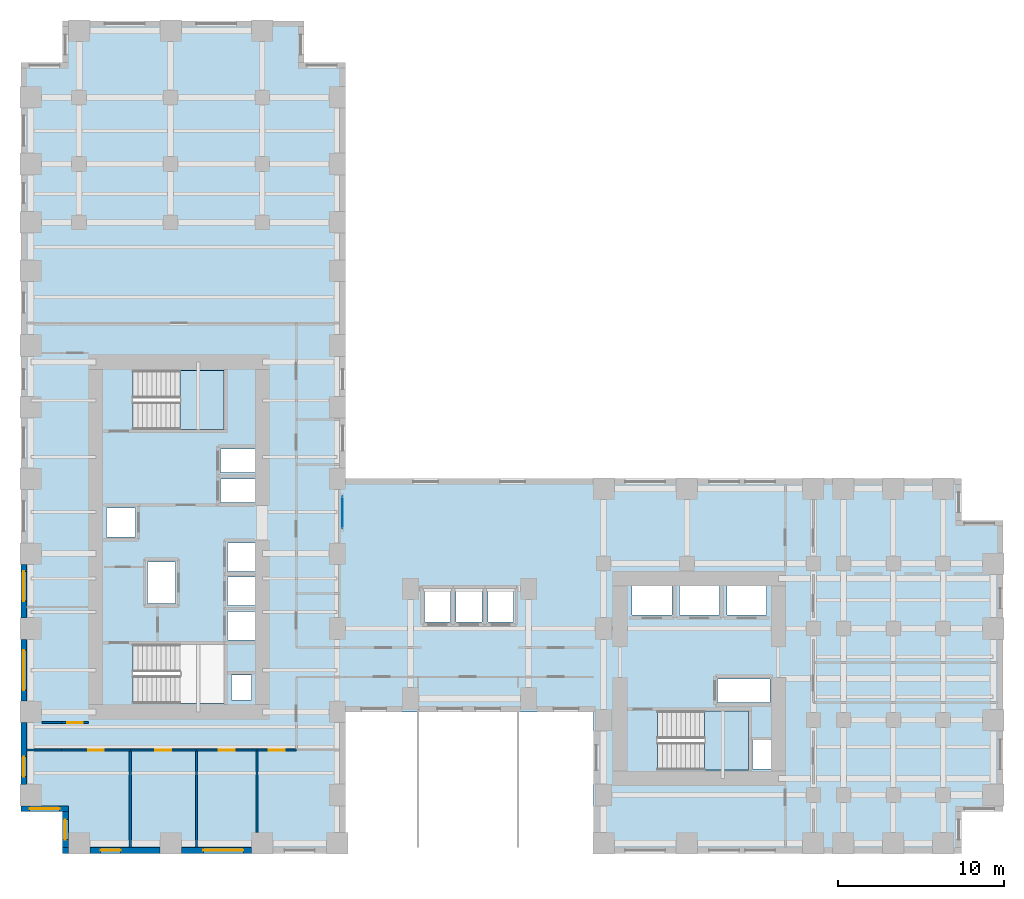
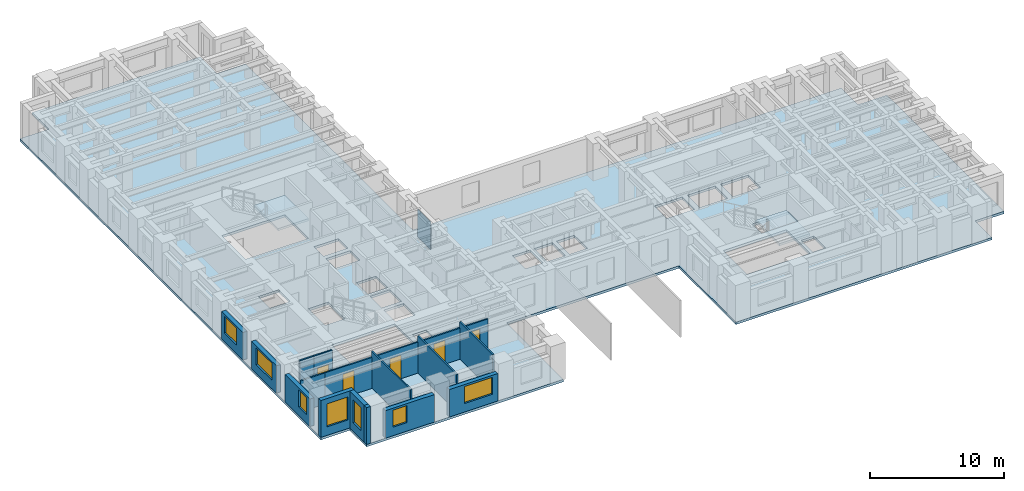
# One storey, part 4 of 12: 18 walls, 7 windows, 5 doors, 3 slabs, 1 plate, 12 openings, 3 elements without a shape of their own.
"""IFC4 building model written with IfcOpenShell, lengths in metres."""

from ifc_helpers import new_model, si_unit, direction, frame, frame_2d, origin, origin_2d, place, context, subcontext, project, spatial, polyline, rectangle, outline, extrude, source, transform, mapped, material, layer, layer_set, type_object, element, fill, aggregate, save


model = new_model("IFC4")

# Units and contexts
model_context = context("Model", 3, precision=1e-05, world=origin(), true_north=direction((0.0, 1.0)))
body_context = subcontext(model_context, "Body", "Model", "MODEL_VIEW")
ifc_project = project(units=[si_unit("LENGTHUNIT", "METRE"), si_unit("AREAUNIT", "SQUARE_METRE"), si_unit("VOLUMEUNIT", "CUBIC_METRE"), si_unit("PLANEANGLEUNIT", "RADIAN"), si_unit("MASSUNIT", "GRAM", prefix="KILO")], contexts=[model_context])

# Site, building, storey
site_placement = place(None, origin())
site = spatial("IfcSite", under=ifc_project, at=site_placement, CompositionType="ELEMENT")
building_placement = place(site_placement, origin())
building = spatial("IfcBuilding", under=site, at=building_placement, Name="Kharzan Plaza Tower", CompositionType="ELEMENT")
storey_placement = place(building_placement, frame((0.0, 0.0, 51.300048828125)))
storey = spatial("IfcBuildingStorey", under=building, at=storey_placement, Name="L13", CompositionType="ELEMENT", Elevation=51.300048828125)

# Slab
ifc_material_1 = material(Name="Concrete C40/50", Category="concrete")
ifc_layer_1 = layer(ifc_material_1, 0.219970703125)
ifc_layer_set_1 = layer_set([ifc_layer_1], Name="Concrete C40/50")
slab_type_1 = type_object("IfcSlabType", Name="SL-FLOOR-220", PredefinedType="FLOOR", material=ifc_layer_set_1)
slab_1_placement = place(storey_placement, frame((0.0, 0.0, -0.219970703125)))
element("IfcSlab", 1, at=slab_1_placement, inside=storey, type_object=slab_type_1, Name="L13 Composite Structural Floor Slab 220 mm", PredefinedType="FLOOR", context=body_context, shape_type="SweptSolid", body=[
    extrude(outline(polyline([(34.39990234375, 22.5), (19.5, 22.5), (19.5, 47.5), (17.0, 47.5), (17.0, 50.0), (2.5, 50.0), (2.5, 47.5), (0.0, 47.5), (0.0, 2.5), (2.5, 2.5), (2.5, 0.0), (19.5, 0.0), (19.5, 8.5), (34.39990234375, 8.5), (34.39990234375, 0.0), (56.5, 0.0), (56.5, 2.5), (59.0, 2.5), (59.0, 20.0), (56.5, 20.0), (56.5, 22.5), (34.39990234375, 22.5)]), holes=[polyline([(13.85009765625, 9.199951171875), (13.85009765625, 10.699951171875), (12.64990234375, 10.699951171875), (12.64990234375, 9.199951171875), (13.85009765625, 9.199951171875)]), polyline([(12.199951171875, 9.0), (12.199951171875, 12.550048828125), (6.75, 12.550048828125), (6.75, 9.0), (12.199951171875, 9.0)]), polyline([(14.10009765625, 12.800048828125), (14.10009765625, 14.530029296875), (12.39990234375, 14.530029296875), (12.39990234375, 12.800048828125), (14.10009765625, 12.800048828125)]), polyline([(14.10009765625, 14.8701171875), (14.10009765625, 16.60009765625), (12.39990234375, 16.60009765625), (12.39990234375, 14.8701171875), (14.10009765625, 14.8701171875)]), polyline([(9.300048828125, 15.0), (9.300048828125, 17.5), (7.60009765625, 17.5), (7.60009765625, 15.0), (9.300048828125, 15.0)]), polyline([(14.10009765625, 16.93994140625), (14.10009765625, 18.64990234375), (12.39990234375, 18.64990234375), (12.39990234375, 16.93994140625), (14.10009765625, 16.93994140625)]), polyline([(6.89990234375, 19.010009765625), (6.89990234375, 20.72998046875), (5.14990234375, 20.72998046875), (5.14990234375, 19.010009765625), (6.89990234375, 19.010009765625)]), polyline([(12.0, 21.070068359375), (14.10009765625, 21.070068359375), (14.10009765625, 22.489990234375), (12.0, 22.489990234375), (12.0, 21.070068359375)]), polyline([(12.0, 22.8701171875), (14.10009765625, 22.8701171875), (14.10009765625, 24.2900390625), (12.0, 24.2900390625), (12.0, 22.8701171875)]), polyline([(12.199951171875, 25.449951171875), (12.199951171875, 29.0), (6.75, 29.0), (6.75, 25.449951171875), (12.199951171875, 25.449951171875)]), polyline([(45.050048828125, 5.050048828125), (45.050048828125, 6.800048828125), (43.949951171875, 6.800048828125), (43.949951171875, 5.050048828125), (45.050048828125, 5.050048828125)]), polyline([(43.699951171875, 5.0), (43.699951171875, 8.550048828125), (38.25, 8.550048828125), (38.25, 5.0), (43.699951171875, 5.0)]), polyline([(41.85009765625, 9.070068359375), (45.0, 9.070068359375), (45.0, 10.469970703125), (41.85009765625, 10.469970703125), (41.85009765625, 9.070068359375)]), polyline([(24.25, 13.89990234375), (25.800048828125, 13.89990234375), (25.800048828125, 15.85009765625), (24.25, 15.85009765625), (24.25, 13.89990234375)]), polyline([(27.699951171875, 13.89990234375), (27.699951171875, 15.85009765625), (26.14990234375, 15.85009765625), (26.14990234375, 13.89990234375), (27.699951171875, 13.89990234375)]), polyline([(29.60009765625, 13.89990234375), (29.60009765625, 15.85009765625), (28.050048828125, 15.85009765625), (28.050048828125, 13.89990234375), (29.60009765625, 13.89990234375)]), polyline([(39.10009765625, 14.300048828125), (39.10009765625, 16.14990234375), (36.699951171875, 16.14990234375), (36.699951171875, 14.300048828125), (39.10009765625, 14.300048828125)]), polyline([(39.550048828125, 14.300048828125), (41.949951171875, 14.300048828125), (41.949951171875, 16.14990234375), (39.550048828125, 16.14990234375), (39.550048828125, 14.300048828125)]), polyline([(42.39990234375, 14.300048828125), (44.800048828125, 14.300048828125), (44.800048828125, 16.14990234375), (42.39990234375, 16.14990234375), (42.39990234375, 14.300048828125)])]), origin(), (0.0, 0.0, 1.0), 0.219970703125),
])

# Stair, slab
stair_type_1 = type_object("IfcStairType", Name="STR-ST-2", PredefinedType="HALF_TURN_STAIR", material=ifc_material_1)
stair_1_placement = place(storey_placement, origin())
stair_1 = element("IfcStair", 2, at=stair_1_placement, inside=storey, type_object=stair_type_1, Name="L13 Protected Exit Stair ST-2", PredefinedType="HALF_TURN_STAIR")
ifc_layer_2 = layer(ifc_material_1, 0.219970703125)
ifc_layer_set_2 = layer_set([ifc_layer_2], Name="Concrete C40/50")
slab_type_2 = type_object("IfcSlabType", Name="SL-LANDING-220", PredefinedType="LANDING", material=ifc_layer_set_2)
slab_2_placement = place(storey_placement, frame((0.0, 0.0, 1.599853515625)))
slab_2 = element("IfcSlab", 3, at=slab_2_placement, type_object=slab_type_2, Name="ST-2 landing 1", PredefinedType="LANDING", context=body_context, shape_type="SweptSolid", body=[
    extrude(outline(polyline([(9.550048828125, 25.449951171875), (12.199951171875, 25.449951171875), (12.199951171875, 29.0), (9.550048828125, 29.0), (9.550048828125, 25.449951171875)])), origin(), (0.0, 0.0, 1.0), 0.2001953125),
])
aggregate(stair_1, [slab_2])

stair_type_2 = type_object("IfcStairType", Name="STR-ST-3", PredefinedType="HALF_TURN_STAIR", material=ifc_material_1)
stair_2_placement = place(storey_placement, origin())
stair_2 = element("IfcStair", 4, at=stair_2_placement, inside=storey, type_object=stair_type_2, Name="L13 Protected Exit Stair ST-3", PredefinedType="HALF_TURN_STAIR")
slab_3_placement = place(storey_placement, frame((0.0, 0.0, 1.599853515625)))
slab_3 = element("IfcSlab", 5, at=slab_3_placement, type_object=slab_type_2, Name="ST-3 landing 1", PredefinedType="LANDING", context=body_context, shape_type="SweptSolid", body=[
    extrude(outline(polyline([(41.050048828125, 5.0), (43.699951171875, 5.0), (43.699951171875, 8.550048828125), (41.050048828125, 8.550048828125), (41.050048828125, 5.0)])), origin(), (0.0, 0.0, 1.0), 0.2001953125),
])
aggregate(stair_2, [slab_3])

# Curtain wall, plate
ifc_material_2 = material(Name="Unitised Bronze-Anodized Aluminium and Low-E Glass", Category="aluminium")
ifc_layer_3 = layer(ifc_material_2, 0.199951171875)
ifc_layer_set_3 = layer_set([ifc_layer_3], Name="Unitised Bronze-Anodized Aluminium and Low-E Glass")
curtain_wall_type = type_object("IfcCurtainWallType", Name="CW-SLOT-3", PredefinedType="NOTDEFINED", material=ifc_layer_set_3)
curtain_wall_placement = place(storey_placement, origin())
curtain_wall = element("IfcCurtainWall", 6, at=curtain_wall_placement, inside=storey, type_object=curtain_wall_type, Name="L13 West Slot Recessed Spine Curtain Wall", PredefinedType="NOTDEFINED")
ifc_material_3 = material(Name="Dark Solar-Control Double Glazing", Category="glass")
ifc_layer_4 = layer(ifc_material_3, 0.031982421875)
ifc_layer_set_4 = layer_set([ifc_layer_4], Name="Dark Solar-Control Double Glazing")
plate_type = type_object("IfcPlateType", Name="PLT-CW-GLASS", PredefinedType="CURTAIN_PANEL", material=ifc_layer_set_4)
shared_shape_1 = source(origin(), body_context, "Body", "SweptSolid", [
    extrude(rectangle(XDim=1.929931640625, YDim=0.031982421875, at=origin_2d()), origin(), (0.0, 0.0, 1.0), 2.5400390625),
])
plate_placement = place(storey_placement, frame((19.320068359375, 20.47509765625, 0.079833984375), z_axis=(0.0, 0.0, 1.0), x_axis=(0.0, 1.0, 0.0)))
plate = element("IfcPlate", 7, at=plate_placement, type_object=plate_type, Name="L13 Curtain-Wall Glazed Panel 00", PredefinedType="CURTAIN_PANEL", context=body_context, shape_type="MappedRepresentation", body=[
    mapped(shared_shape_1, transform((0.0, 0.0, 0.0), x_axis=(1.0, 0.0, 0.0), y_axis=(0.0, 1.0, 0.0), z_axis=(0.0, 0.0, 1.0))),
])
aggregate(curtain_wall, [plate])

# Wall, opening, window
ifc_layer_5 = layer(ifc_material_1, 0.35009765625)
ifc_layer_set_5 = layer_set([ifc_layer_5], Name="Concrete C40/50")
wall_type_1 = type_object("IfcWallType", Name="WL-EXT-MAS-Z1", PredefinedType="SOLIDWALL", material=ifc_layer_set_5)
wall_1_placement = place(storey_placement, frame((0.175048828125, 17.35205078125, 0.0), z_axis=(0.0, 0.0, 1.0), x_axis=(0.0, -1.0, 0.0)))
wall_1 = element("IfcWall", 8, at=wall_1_placement, inside=storey, type_object=wall_type_1, Name="L13 Masonry-Frame Exterior Wall 17", PredefinedType="SOLIDWALL", context=body_context, shape_type="SweptSolid", body=[
    extrude(rectangle(XDim=3.2041015625, YDim=0.35009765625, at=frame_2d((1.60205078125, 0.0))), origin(), (0.0, 0.0, 1.0), 2.510009765625),
])
opening_1_placement = place(wall_1_placement, frame((0.410888671875, 0.0, 0.780029296875)))
opening_1 = element("IfcOpeningElement", 9, at=opening_1_placement, cuts=wall_1, Name="Opening W1", PredefinedType="OPENING", context=body_context, shape_type="SweptSolid", body=[
    extrude(rectangle(XDim=1.800048828125, YDim=1.550048828125, at=frame_2d((0.89990234375, 0.77490234375))), frame((0.0, 0.18505859375, 0.0), z_axis=(0.0, -1.0, 0.0), x_axis=(1.0, 0.0, 0.0)), (0.0, 0.0, 1.0), 0.3701171875),
])
ifc_material_4 = material(Name="Low-E Double Glazing", Category="glass")
window_type_1 = type_object("IfcWindowType", Name="WN-REC-1800x2100", PartitioningType="SINGLE_PANEL", PredefinedType="WINDOW", material=ifc_material_4)
shared_shape_2 = source(origin(), body_context, "Body", "SweptSolid", [
    extrude(rectangle(XDim=1.800048828125, YDim=1.550048828125, at=frame_2d((0.89990234375, 0.77490234375))), frame((0.0, 0.030029296875, 0.0), z_axis=(0.0, -1.0, 0.0), x_axis=(1.0, 0.0, 0.0)), (0.0, 0.0, 1.0), 0.06005859375),
])
window_1_placement = place(opening_1_placement, origin())
window_1 = element("IfcWindow", 10, at=window_1_placement, inside=storey, type_object=window_type_1, Name="L13 Recessed Solar-Control Window 17-1", OverallHeight=1.550048828125, OverallWidth=1.800048828125, PartitioningType="SINGLE_PANEL", PredefinedType="WINDOW", context=body_context, shape_type="MappedRepresentation", body=[
    mapped(shared_shape_2, transform((0.0, 0.0, 0.0), x_axis=(1.0, 0.0, 0.0), y_axis=(0.0, 1.0, 0.0), z_axis=(0.0, 0.0, 1.0))),
])
fill(opening_1, window_1)

wall_2_placement = place(storey_placement, frame((0.175048828125, 12.85205078125, 0.0), z_axis=(0.0, 0.0, 1.0), x_axis=(0.0, -1.0, 0.0)))
wall_2 = element("IfcWall", 11, at=wall_2_placement, inside=storey, type_object=wall_type_1, Name="L13 Masonry-Frame Exterior Wall 18", PredefinedType="SOLIDWALL", context=body_context, shape_type="SweptSolid", body=[
    extrude(rectangle(XDim=3.7041015625, YDim=0.35009765625, at=frame_2d((1.85205078125, 0.0))), origin(), (0.0, 0.0, 1.0), 2.510009765625),
])
opening_2_placement = place(wall_2_placement, frame((0.652099609375, 0.0, 0.780029296875)))
opening_2 = element("IfcOpeningElement", 12, at=opening_2_placement, cuts=wall_2, Name="Opening W2", PredefinedType="OPENING", context=body_context, shape_type="SweptSolid", body=[
    extrude(rectangle(XDim=2.39990234375, YDim=1.550048828125, at=frame_2d((1.199951171875, 0.77490234375))), frame((0.0, 0.18505859375, 0.0), z_axis=(0.0, -1.0, 0.0), x_axis=(1.0, 0.0, 0.0)), (0.0, 0.0, 1.0), 0.3701171875),
])
window_type_2 = type_object("IfcWindowType", Name="WN-REC-2400x2100", PartitioningType="SINGLE_PANEL", PredefinedType="WINDOW", material=ifc_material_4)
shared_shape_3 = source(origin(), body_context, "Body", "SweptSolid", [
    extrude(rectangle(XDim=2.39990234375, YDim=1.550048828125, at=frame_2d((1.199951171875, 0.77490234375))), frame((0.0, 0.030029296875, 0.0), z_axis=(0.0, -1.0, 0.0), x_axis=(1.0, 0.0, 0.0)), (0.0, 0.0, 1.0), 0.06005859375),
])
window_2_placement = place(opening_2_placement, origin())
window_2 = element("IfcWindow", 13, at=window_2_placement, inside=storey, type_object=window_type_2, Name="L13 Wide Recessed Solar-Control Window 18-1", OverallHeight=1.550048828125, OverallWidth=2.39990234375, PartitioningType="SINGLE_PANEL", PredefinedType="WINDOW", context=body_context, shape_type="MappedRepresentation", body=[
    mapped(shared_shape_3, transform((0.0, 0.0, 0.0), x_axis=(1.0, 0.0, 0.0), y_axis=(0.0, 1.0, 0.0), z_axis=(0.0, 0.0, 1.0))),
])
fill(opening_2, window_2)

wall_3_placement = place(storey_placement, frame((0.175048828125, 7.85205078125, 0.0), z_axis=(0.0, 0.0, 1.0), x_axis=(0.0, -1.0, 0.0)))
wall_3 = element("IfcWall", 14, at=wall_3_placement, inside=storey, type_object=wall_type_1, Name="L13 Masonry-Frame Exterior Wall 19", PredefinedType="SOLIDWALL", context=body_context, shape_type="SweptSolid", body=[
    extrude(rectangle(XDim=3.7041015625, YDim=0.35009765625, at=frame_2d((1.85205078125, 0.0))), origin(), (0.0, 0.0, 1.0), 2.510009765625),
])
opening_3_placement = place(wall_3_placement, frame((2.04296875, 0.0, 0.780029296875)))
opening_3 = element("IfcOpeningElement", 15, at=opening_3_placement, cuts=wall_3, Name="Opening W3", PredefinedType="OPENING", context=body_context, shape_type="SweptSolid", body=[
    extrude(rectangle(XDim=1.199951171875, YDim=1.550048828125, at=frame_2d((0.60009765625, 0.77490234375))), frame((0.0, 0.18505859375, 0.0), z_axis=(0.0, -1.0, 0.0), x_axis=(1.0, 0.0, 0.0)), (0.0, 0.0, 1.0), 0.3701171875),
])
window_type_3 = type_object("IfcWindowType", Name="WN-REC-1200x2100", PartitioningType="SINGLE_PANEL", PredefinedType="WINDOW", material=ifc_material_4)
shared_shape_4 = source(origin(), body_context, "Body", "SweptSolid", [
    extrude(rectangle(XDim=1.199951171875, YDim=1.550048828125, at=frame_2d((0.60009765625, 0.77490234375))), frame((0.0, 0.030029296875, 0.0), z_axis=(0.0, -1.0, 0.0), x_axis=(1.0, 0.0, 0.0)), (0.0, 0.0, 1.0), 0.06005859375),
])
window_3_placement = place(opening_3_placement, origin())
window_3 = element("IfcWindow", 16, at=window_3_placement, inside=storey, type_object=window_type_3, Name="L13 Recessed Solar-Control Window 19-1", OverallHeight=1.550048828125, OverallWidth=1.199951171875, PartitioningType="SINGLE_PANEL", PredefinedType="WINDOW", context=body_context, shape_type="MappedRepresentation", body=[
    mapped(shared_shape_4, transform((0.0, 0.0, 0.0), x_axis=(1.0, 0.0, 0.0), y_axis=(0.0, 1.0, 0.0), z_axis=(0.0, 0.0, 1.0))),
])
fill(opening_3, window_3)

wall_4_placement = place(storey_placement, frame((0.0, 2.675048828125, 0.0), z_axis=(0.0, 0.0, 1.0), x_axis=(1.0, 0.0, 0.0)))
wall_4 = element("IfcWall", 17, at=wall_4_placement, inside=storey, type_object=wall_type_1, Name="L13 Masonry-Frame Exterior Wall 20", PredefinedType="SOLIDWALL", context=body_context, shape_type="SweptSolid", body=[
    extrude(rectangle(XDim=2.85009765625, YDim=0.35009765625, at=frame_2d((1.425048828125, 0.0))), origin(), (0.0, 0.0, 1.0), 3.364990234375),
])
opening_4_placement = place(wall_4_placement, frame((0.52490234375, 0.0, 0.780029296875)))
opening_4 = element("IfcOpeningElement", 18, at=opening_4_placement, cuts=wall_4, Name="Opening W1", PredefinedType="OPENING", context=body_context, shape_type="SweptSolid", body=[
    extrude(rectangle(XDim=1.800048828125, YDim=2.10009765625, at=frame_2d((0.89990234375, 1.050048828125))), frame((0.0, 0.18505859375, 0.0), z_axis=(0.0, -1.0, 0.0), x_axis=(1.0, 0.0, 0.0)), (0.0, 0.0, 1.0), 0.3701171875),
])
shared_shape_5 = source(origin(), body_context, "Body", "SweptSolid", [
    extrude(rectangle(XDim=1.800048828125, YDim=2.10009765625, at=frame_2d((0.89990234375, 1.050048828125))), frame((0.0, 0.030029296875, 0.0), z_axis=(0.0, -1.0, 0.0), x_axis=(1.0, 0.0, 0.0)), (0.0, 0.0, 1.0), 0.06005859375),
])
window_4_placement = place(opening_4_placement, origin())
window_4 = element("IfcWindow", 19, at=window_4_placement, inside=storey, type_object=window_type_1, Name="L13 Recessed Solar-Control Window 20-1", OverallHeight=2.10009765625, OverallWidth=1.800048828125, PartitioningType="SINGLE_PANEL", PredefinedType="WINDOW", context=body_context, shape_type="MappedRepresentation", body=[
    mapped(shared_shape_5, transform((0.0, 0.0, 0.0), x_axis=(1.0, 0.0, 0.0), y_axis=(0.0, 1.0, 0.0), z_axis=(0.0, 0.0, 1.0))),
])
fill(opening_4, window_4)

wall_5_placement = place(storey_placement, frame((2.675048828125, 2.501953125, 0.0), z_axis=(0.0, 0.0, 1.0), x_axis=(0.0, -1.0, 0.0)))
wall_5 = element("IfcWall", 20, at=wall_5_placement, inside=storey, type_object=wall_type_1, Name="L13 Masonry-Frame Exterior Wall 21", PredefinedType="SOLIDWALL", context=body_context, shape_type="SweptSolid", body=[
    extrude(rectangle(XDim=2.154052734375, YDim=0.35009765625, at=frame_2d((1.0771484375, 0.0))), origin(), (0.0, 0.0, 1.0), 3.364990234375),
])
opening_5_placement = place(wall_5_placement, frame((0.47705078125, 0.0, 0.780029296875)))
opening_5 = element("IfcOpeningElement", 21, at=opening_5_placement, cuts=wall_5, Name="Opening W3", PredefinedType="OPENING", context=body_context, shape_type="SweptSolid", body=[
    extrude(rectangle(XDim=1.199951171875, YDim=2.10009765625, at=frame_2d((0.60009765625, 1.050048828125))), frame((0.0, 0.18505859375, 0.0), z_axis=(0.0, -1.0, 0.0), x_axis=(1.0, 0.0, 0.0)), (0.0, 0.0, 1.0), 0.3701171875),
])
shared_shape_6 = source(origin(), body_context, "Body", "SweptSolid", [
    extrude(rectangle(XDim=1.199951171875, YDim=2.10009765625, at=frame_2d((0.60009765625, 1.050048828125))), frame((0.0, 0.030029296875, 0.0), z_axis=(0.0, -1.0, 0.0), x_axis=(1.0, 0.0, 0.0)), (0.0, 0.0, 1.0), 0.06005859375),
])
window_5_placement = place(opening_5_placement, origin())
window_5 = element("IfcWindow", 22, at=window_5_placement, inside=storey, type_object=window_type_3, Name="L13 Recessed Solar-Control Window 21-1", OverallHeight=2.10009765625, OverallWidth=1.199951171875, PartitioningType="SINGLE_PANEL", PredefinedType="WINDOW", context=body_context, shape_type="MappedRepresentation", body=[
    mapped(shared_shape_6, transform((0.0, 0.0, 0.0), x_axis=(1.0, 0.0, 0.0), y_axis=(0.0, 1.0, 0.0), z_axis=(0.0, 0.0, 1.0))),
])
fill(opening_5, window_5)

wall_6_placement = place(storey_placement, frame((4.14794921875, 0.175048828125, 0.0), z_axis=(0.0, 0.0, 1.0), x_axis=(1.0, 0.0, 0.0)))
wall_6 = element("IfcWall", 23, at=wall_6_placement, inside=storey, type_object=wall_type_1, Name="L13 Masonry-Frame Exterior Wall 23", PredefinedType="SOLIDWALL", context=body_context, shape_type="SweptSolid", body=[
    extrude(rectangle(XDim=4.2041015625, YDim=0.35009765625, at=frame_2d((2.10205078125, 0.0))), origin(), (0.0, 0.0, 1.0), 2.510009765625),
])
opening_6_placement = place(wall_6_placement, frame((0.64697265625, 0.0, 0.780029296875)))
opening_6 = element("IfcOpeningElement", 24, at=opening_6_placement, cuts=wall_6, Name="Opening W3", PredefinedType="OPENING", context=body_context, shape_type="SweptSolid", body=[
    extrude(rectangle(XDim=1.199951171875, YDim=1.550048828125, at=frame_2d((0.60009765625, 0.77490234375))), frame((0.0, 0.18505859375, 0.0), z_axis=(0.0, -1.0, 0.0), x_axis=(1.0, 0.0, 0.0)), (0.0, 0.0, 1.0), 0.3701171875),
])
window_6_placement = place(opening_6_placement, origin())
window_6 = element("IfcWindow", 25, at=window_6_placement, inside=storey, type_object=window_type_3, Name="L13 Recessed Solar-Control Window 23-1", OverallHeight=1.550048828125, OverallWidth=1.199951171875, PartitioningType="SINGLE_PANEL", PredefinedType="WINDOW", context=body_context, shape_type="MappedRepresentation", body=[
    mapped(shared_shape_4, transform((0.0, 0.0, 0.0), x_axis=(1.0, 0.0, 0.0), y_axis=(0.0, 1.0, 0.0), z_axis=(0.0, 0.0, 1.0))),
])
fill(opening_6, window_6)

wall_7_placement = place(storey_placement, frame((9.64794921875, 0.175048828125, 0.0), z_axis=(0.0, 0.0, 1.0), x_axis=(1.0, 0.0, 0.0)))
wall_7 = element("IfcWall", 26, at=wall_7_placement, inside=storey, type_object=wall_type_1, Name="L13 Masonry-Frame Exterior Wall 24", PredefinedType="SOLIDWALL", context=body_context, shape_type="SweptSolid", body=[
    extrude(rectangle(XDim=4.2041015625, YDim=0.35009765625, at=frame_2d((2.10205078125, 0.0))), origin(), (0.0, 0.0, 1.0), 2.510009765625),
])
opening_7_placement = place(wall_7_placement, frame((1.31494140625, 0.0, 0.780029296875)))
opening_7 = element("IfcOpeningElement", 27, at=opening_7_placement, cuts=wall_7, Name="Opening W2", PredefinedType="OPENING", context=body_context, shape_type="SweptSolid", body=[
    extrude(rectangle(XDim=2.39990234375, YDim=1.550048828125, at=frame_2d((1.199951171875, 0.77490234375))), frame((0.0, 0.18505859375, 0.0), z_axis=(0.0, -1.0, 0.0), x_axis=(1.0, 0.0, 0.0)), (0.0, 0.0, 1.0), 0.3701171875),
])
window_7_placement = place(opening_7_placement, origin())
window_7 = element("IfcWindow", 28, at=window_7_placement, inside=storey, type_object=window_type_2, Name="L13 Wide Recessed Solar-Control Window 24-1", OverallHeight=1.550048828125, OverallWidth=2.39990234375, PartitioningType="SINGLE_PANEL", PredefinedType="WINDOW", context=body_context, shape_type="MappedRepresentation", body=[
    mapped(shared_shape_3, transform((0.0, 0.0, 0.0), x_axis=(1.0, 0.0, 0.0), y_axis=(0.0, 1.0, 0.0), z_axis=(0.0, 0.0, 1.0))),
])
fill(opening_7, window_7)

# Wall, opening, door
ifc_material_5 = material(Name="Fire-Rated Gypsum Board Partition", Category="gypsum")
ifc_layer_6 = layer(ifc_material_5, 0.125)
ifc_layer_set_6 = layer_set([ifc_layer_6], Name="Fire-Rated Gypsum Board Partition")
wall_type_2 = type_object("IfcWallType", Name="WL-INT-PART-125", PredefinedType="PARTITIONING", material=ifc_layer_set_6)
wall_8_placement = place(storey_placement, frame((2.449951171875, 7.85009765625, 0.0), z_axis=(0.0, 0.0, 1.0), x_axis=(1.0, 0.0, 0.0)))
wall_8 = element("IfcWall", 29, at=wall_8_placement, inside=storey, type_object=wall_type_2, Name="L13 Interior Partition SH-RWSD", PredefinedType="PARTITIONING", context=body_context, shape_type="SweptSolid", body=[
    extrude(rectangle(XDim=1.60009765625, YDim=0.125, at=frame_2d((0.800048828125, 0.0))), origin(), (0.0, 0.0, 1.0), 3.364990234375),
])
opening_8_placement = place(wall_8_placement, frame((0.324951171875, 0.0, 0.0)))
opening_8 = element("IfcOpeningElement", 30, at=opening_8_placement, cuts=wall_8, Name="Opening OD1", PredefinedType="OPENING", context=body_context, shape_type="SweptSolid", body=[
    extrude(rectangle(XDim=0.949951171875, YDim=2.14990234375, at=frame_2d((0.47509765625, 1.074951171875))), frame((0.0, 0.072509765625, 0.0), z_axis=(0.0, -1.0, 0.0), x_axis=(1.0, 0.0, 0.0)), (0.0, 0.0, 1.0), 0.14501953125),
])
ifc_material_6 = material(Name="Acoustic Solid-Core Stained Oak", Category="timber")
door_type = type_object("IfcDoorType", Name="DR-OFF-SINGLE", OperationType="NOTDEFINED", PredefinedType="DOOR", material=ifc_material_6)
shared_shape_7 = source(origin(), body_context, "Body", "SweptSolid", [
    extrude(rectangle(XDim=0.949951171875, YDim=2.14990234375, at=frame_2d((0.47509765625, 1.074951171875))), frame((0.0, 0.02490234375, 0.0), z_axis=(0.0, -1.0, 0.0), x_axis=(1.0, 0.0, 0.0)), (0.0, 0.0, 1.0), 0.050048828125),
])
door_1_placement = place(opening_8_placement, origin())
door_1 = element("IfcDoor", 31, at=door_1_placement, inside=storey, type_object=door_type, Name="L13 West Office 1 Door", OperationType="SINGLE_SWING_RIGHT", OverallHeight=2.14990234375, OverallWidth=0.949951171875, PredefinedType="DOOR", context=body_context, shape_type="MappedRepresentation", body=[
    mapped(shared_shape_7, transform((0.0, 0.0, 0.0), x_axis=(1.0, 0.0, 0.0), y_axis=(0.0, 1.0, 0.0), z_axis=(0.0, 0.0, 1.0))),
])
fill(opening_8, door_1)

wall_9_placement = place(storey_placement, frame((2.449951171875, 6.199951171875, 0.0), z_axis=(0.0, 0.0, 1.0), x_axis=(1.0, 0.0, 0.0)))
wall_9 = element("IfcWall", 32, at=wall_9_placement, inside=storey, type_object=wall_type_2, Name="L13 Interior Partition SH-SS-1", PredefinedType="PARTITIONING", context=body_context, shape_type="SweptSolid", body=[
    extrude(rectangle(XDim=4.1220703125, YDim=0.125, at=frame_2d((2.06103515625, 0.0))), origin(), (0.0, 0.0, 1.0), 2.827880859375),
])
opening_9_placement = place(wall_9_placement, frame((1.5859375, 0.0, 0.0)))
opening_9 = element("IfcOpeningElement", 33, at=opening_9_placement, cuts=wall_9, Name="Opening OD1", PredefinedType="OPENING", context=body_context, shape_type="SweptSolid", body=[
    extrude(rectangle(XDim=0.949951171875, YDim=2.14990234375, at=frame_2d((0.47509765625, 1.074951171875))), frame((0.0, 0.072509765625, 0.0), z_axis=(0.0, -1.0, 0.0), x_axis=(1.0, 0.0, 0.0)), (0.0, 0.0, 1.0), 0.14501953125),
])
door_2_placement = place(opening_9_placement, origin())
door_2 = element("IfcDoor", 34, at=door_2_placement, inside=storey, type_object=door_type, Name="L13 Executive Tea Pantry Door", OperationType="SINGLE_SWING_RIGHT", OverallHeight=2.14990234375, OverallWidth=0.949951171875, PredefinedType="DOOR", context=body_context, shape_type="MappedRepresentation", body=[
    mapped(shared_shape_7, transform((0.0, 0.0, 0.0), x_axis=(1.0, 0.0, 0.0), y_axis=(0.0, 1.0, 0.0), z_axis=(0.0, 0.0, 1.0))),
])
fill(opening_9, door_2)

wall_10_placement = place(storey_placement, frame((6.572021484375, 6.199951171875, 0.0), z_axis=(0.0, 0.0, 1.0), x_axis=(1.0, 0.0, 0.0)))
wall_10 = element("IfcWall", 35, at=wall_10_placement, inside=storey, type_object=wall_type_2, Name="L13 Interior Partition SH-SS-2", PredefinedType="PARTITIONING", context=body_context, shape_type="SweptSolid", body=[
    extrude(rectangle(XDim=3.971923828125, YDim=0.125, at=frame_2d((1.98583984375, 0.0))), origin(), (0.0, 0.0, 1.0), 2.827880859375),
])
opening_10_placement = place(wall_10_placement, frame((1.510986328125, 0.0, 0.0)))
opening_10 = element("IfcOpeningElement", 36, at=opening_10_placement, cuts=wall_10, Name="Opening OD1", PredefinedType="OPENING", context=body_context, shape_type="SweptSolid", body=[
    extrude(rectangle(XDim=0.949951171875, YDim=2.14990234375, at=frame_2d((0.47509765625, 1.074951171875))), frame((0.0, 0.072509765625, 0.0), z_axis=(0.0, -1.0, 0.0), x_axis=(1.0, 0.0, 0.0)), (0.0, 0.0, 1.0), 0.14501953125),
])
door_3_placement = place(opening_10_placement, origin())
door_3 = element("IfcDoor", 37, at=door_3_placement, inside=storey, type_object=door_type, Name="L13 Executive Tea Pantry Door", OperationType="SINGLE_SWING_LEFT", OverallHeight=2.14990234375, OverallWidth=0.949951171875, PredefinedType="DOOR", context=body_context, shape_type="MappedRepresentation", body=[
    mapped(shared_shape_7, transform((0.0, 0.0, 0.0), x_axis=(1.0, 0.0, 0.0), y_axis=(0.0, 1.0, 0.0), z_axis=(0.0, 0.0, 1.0))),
])
fill(opening_10, door_3)

wall_11_placement = place(storey_placement, frame((10.5439453125, 6.199951171875, 0.0), z_axis=(0.0, 0.0, 1.0), x_axis=(1.0, 0.0, 0.0)))
wall_11 = element("IfcWall", 38, at=wall_11_placement, inside=storey, type_object=wall_type_2, Name="L13 Interior Partition SH-SS-3", PredefinedType="PARTITIONING", context=body_context, shape_type="SweptSolid", body=[
    extrude(rectangle(XDim=3.64111328125, YDim=0.125, at=frame_2d((1.820556640625, 0.0))), origin(), (0.0, 0.0, 1.0), 2.827880859375),
])
opening_11_placement = place(wall_11_placement, frame((1.345458984375, 0.0, 0.0)))
opening_11 = element("IfcOpeningElement", 39, at=opening_11_placement, cuts=wall_11, Name="Opening OD1", PredefinedType="OPENING", context=body_context, shape_type="SweptSolid", body=[
    extrude(rectangle(XDim=0.949951171875, YDim=2.14990234375, at=frame_2d((0.47509765625, 1.074951171875))), frame((0.0, 0.072509765625, 0.0), z_axis=(0.0, -1.0, 0.0), x_axis=(1.0, 0.0, 0.0)), (0.0, 0.0, 1.0), 0.14501953125),
])
door_4_placement = place(opening_11_placement, origin())
door_4 = element("IfcDoor", 40, at=door_4_placement, inside=storey, type_object=door_type, Name="L13 Strategy Briefing Room Door", OperationType="SINGLE_SWING_RIGHT", OverallHeight=2.14990234375, OverallWidth=0.949951171875, PredefinedType="DOOR", context=body_context, shape_type="MappedRepresentation", body=[
    mapped(shared_shape_7, transform((0.0, 0.0, 0.0), x_axis=(1.0, 0.0, 0.0), y_axis=(0.0, 1.0, 0.0), z_axis=(0.0, 0.0, 1.0))),
])
fill(opening_11, door_4)

wall_12_placement = place(storey_placement, frame((14.18505859375, 6.199951171875, 0.0), z_axis=(0.0, 0.0, 1.0), x_axis=(1.0, 0.0, 0.0)))
wall_12 = element("IfcWall", 41, at=wall_12_placement, inside=storey, type_object=wall_type_2, Name="L13 Interior Partition SH-SS-4", PredefinedType="PARTITIONING", context=body_context, shape_type="SweptSolid", body=[
    extrude(rectangle(XDim=2.364990234375, YDim=0.125, at=frame_2d((1.1826171875, 0.0))), origin(), (0.0, 0.0, 1.0), 2.827880859375),
])
opening_12_placement = place(wall_12_placement, frame((0.70751953125, 0.0, 0.0)))
opening_12 = element("IfcOpeningElement", 42, at=opening_12_placement, cuts=wall_12, Name="Opening OD1", PredefinedType="OPENING", context=body_context, shape_type="SweptSolid", body=[
    extrude(rectangle(XDim=0.949951171875, YDim=2.14990234375, at=frame_2d((0.47509765625, 1.074951171875))), frame((0.0, 0.072509765625, 0.0), z_axis=(0.0, -1.0, 0.0), x_axis=(1.0, 0.0, 0.0)), (0.0, 0.0, 1.0), 0.14501953125),
])
door_5_placement = place(opening_12_placement, origin())
door_5 = element("IfcDoor", 43, at=door_5_placement, inside=storey, type_object=door_type, Name="L13 Executive Boardroom Door", OperationType="SINGLE_SWING_LEFT", OverallHeight=2.14990234375, OverallWidth=0.949951171875, PredefinedType="DOOR", context=body_context, shape_type="MappedRepresentation", body=[
    mapped(shared_shape_7, transform((0.0, 0.0, 0.0), x_axis=(1.0, 0.0, 0.0), y_axis=(0.0, 1.0, 0.0), z_axis=(0.0, 0.0, 1.0))),
])
fill(opening_12, door_5)

# Walls
shared_shape_8 = source(origin(), body_context, "Body", "SweptSolid", [
    extrude(rectangle(XDim=0.35205078125, YDim=0.35009765625, at=frame_2d((0.176025390625, 0.0))), origin(), (0.0, 0.0, 1.0), 3.364990234375),
])
wall_13_placement = place(storey_placement, frame((2.5, 0.175048828125, 0.0), z_axis=(0.0, 0.0, 1.0), x_axis=(1.0, 0.0, 0.0)))
element("IfcWall", 44, at=wall_13_placement, inside=storey, type_object=wall_type_1, Name="L13 Masonry-Frame Exterior Wall 22", PredefinedType="SOLIDWALL", context=body_context, shape_type="MappedRepresentation", body=[
    mapped(shared_shape_8, transform((0.0, 0.0, 0.0), x_axis=(1.0, 0.0, 0.0), y_axis=(0.0, 1.0, 0.0), z_axis=(0.0, 0.0, 1.0))),
])
shared_shape_9 = source(origin(), body_context, "Body", "SweptSolid", [
    extrude(rectangle(XDim=1.18994140625, YDim=0.125, at=frame_2d((0.594970703125, 0.0))), origin(), (0.0, 0.0, 1.0), 3.364990234375),
])
wall_14_placement = place(storey_placement, frame((1.260009765625, 7.85009765625, 0.0), z_axis=(0.0, 0.0, 1.0), x_axis=(1.0, 0.0, 0.0)))
element("IfcWall", 45, at=wall_14_placement, inside=storey, type_object=wall_type_2, Name="L13 Interior Partition SH-RWS0", PredefinedType="PARTITIONING", context=body_context, shape_type="MappedRepresentation", body=[
    mapped(shared_shape_9, transform((0.0, 0.0, 0.0), x_axis=(1.0, 0.0, 0.0), y_axis=(0.0, 1.0, 0.0), z_axis=(0.0, 0.0, 1.0))),
])
shared_shape_10 = source(origin(), body_context, "Body", "SweptSolid", [
    extrude(rectangle(XDim=2.097900390625, YDim=0.125, at=frame_2d((1.048828125, 0.0))), origin(), (0.0, 0.0, 1.0), 2.827880859375),
])
wall_15_placement = place(storey_placement, frame((0.35205078125, 6.199951171875, 0.0), z_axis=(0.0, 0.0, 1.0), x_axis=(1.0, 0.0, 0.0)))
element("IfcWall", 46, at=wall_15_placement, inside=storey, type_object=wall_type_2, Name="L13 Interior Partition SH-SS-EXT", PredefinedType="PARTITIONING", context=body_context, shape_type="MappedRepresentation", body=[
    mapped(shared_shape_10, transform((0.0, 0.0, 0.0), x_axis=(1.0, 0.0, 0.0), y_axis=(0.0, 1.0, 0.0), z_axis=(0.0, 0.0, 1.0))),
])
shared_shape_11 = source(origin(), body_context, "Body", "SweptSolid", [
    extrude(rectangle(XDim=5.847900390625, YDim=0.125, at=frame_2d((2.923828125, 0.0))), origin(), (0.0, 0.0, 1.0), 3.364990234375),
])
for number, where, z_axis, x_axis, name in (
    (47, (6.572021484375, 0.35205078125, 0.0), (0.0, 0.0, 1.0), (0.0, 1.0, 0.0), "L13 Interior Partition SH-SV-1"),
    (48, (10.5439453125, 0.35205078125, 0.0), (0.0, 0.0, 1.0), (0.0, 1.0, 0.0), "L13 Interior Partition SH-SV-2"),
):
    element("IfcWall", number, at=place(storey_placement, frame(where, z_axis=z_axis, x_axis=x_axis)), inside=storey, type_object=wall_type_2, Name=name, PredefinedType="PARTITIONING", context=body_context, shape_type="MappedRepresentation", body=[
        mapped(shared_shape_11, transform((0.0, 0.0, 0.0), x_axis=(1.0, 0.0, 0.0), y_axis=(0.0, 1.0, 0.0), z_axis=(0.0, 0.0, 1.0))),
    ])
shared_shape_12 = source(origin(), body_context, "Body", "SweptSolid", [
    extrude(rectangle(XDim=4.93994140625, YDim=0.125, at=frame_2d((2.469970703125, 0.0))), origin(), (0.0, 0.0, 1.0), 3.364990234375),
])
wall_16_placement = place(storey_placement, frame((14.18505859375, 1.260009765625, 0.0), z_axis=(0.0, 0.0, 1.0), x_axis=(0.0, 1.0, 0.0)))
element("IfcWall", 49, at=wall_16_placement, inside=storey, type_object=wall_type_2, Name="L13 Interior Partition SH-SV-3", PredefinedType="PARTITIONING", context=body_context, shape_type="MappedRepresentation", body=[
    mapped(shared_shape_12, transform((0.0, 0.0, 0.0), x_axis=(1.0, 0.0, 0.0), y_axis=(0.0, 1.0, 0.0), z_axis=(0.0, 0.0, 1.0))),
])

save(model, "model.ifc")
